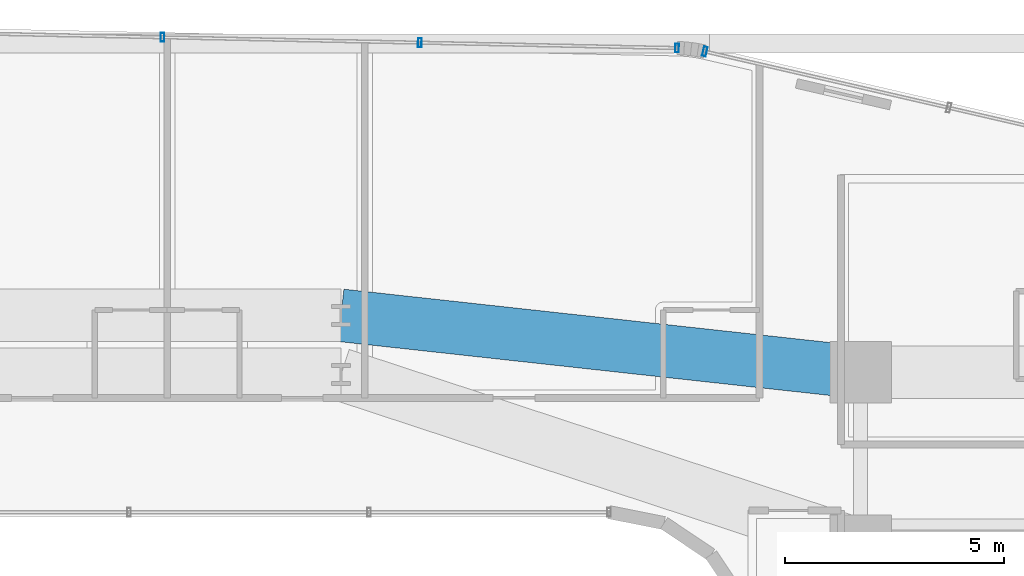
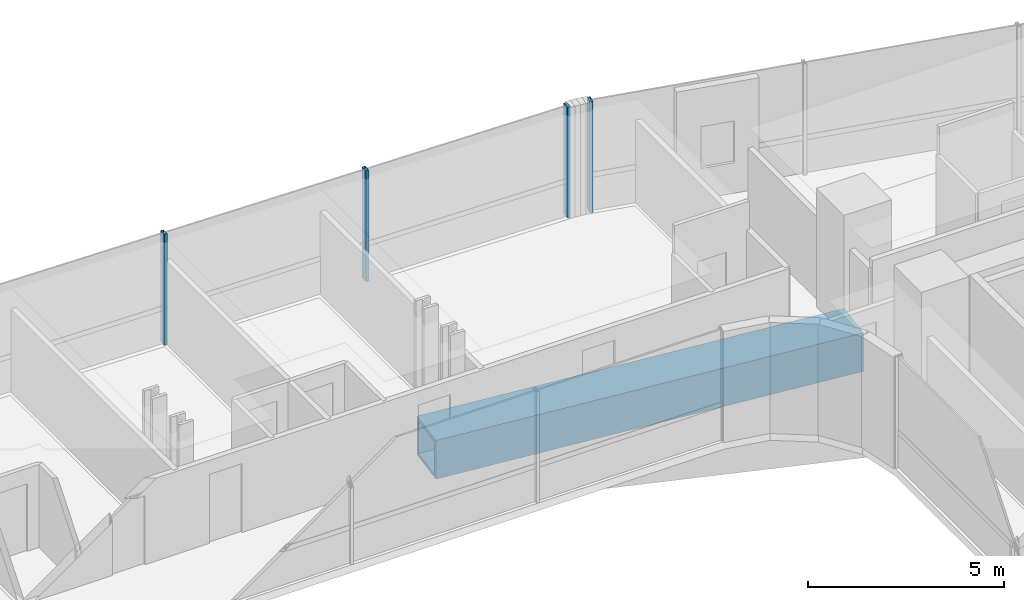
# One storey, part 27 of 50: 4 members, 1 beam, 2 elements without a shape of their own.
"""IFC4 building model written with IfcOpenShell, lengths in metres."""

from ifc_helpers import new_model, si_unit, direction, frame, origin, origin_2d, place, context, subcontext, project, spatial, hollow_rectangle, extrude, source, transform, mapped, material, material_profile, profile_set, type_object, element, aggregate, save


model = new_model("IFC4")

# Units and contexts
model_context = context("Model", 3, precision=1e-05, world=origin(), true_north=direction((0.0, 1.0)))
body_context = subcontext(model_context, "Body", "Model", "MODEL_VIEW")
ifc_project = project(units=[si_unit("LENGTHUNIT", "METRE"), si_unit("AREAUNIT", "SQUARE_METRE"), si_unit("VOLUMEUNIT", "CUBIC_METRE"), si_unit("PLANEANGLEUNIT", "RADIAN"), si_unit("MASSUNIT", "GRAM", prefix="KILO")], contexts=[model_context])

# Site, building, storey
site_placement = place(None, origin())
site = spatial("IfcSite", under=ifc_project, at=site_placement, CompositionType="ELEMENT")
building_placement = place(site_placement, origin())
building = spatial("IfcBuilding", under=site, at=building_placement, Name="Valdorenza Pilgrim Sanctuary Tower", CompositionType="ELEMENT")
storey_placement = place(building_placement, frame((0.0, 0.0, 26.0)))
storey = spatial("IfcBuildingStorey", under=building, at=storey_placement, Name="L05", CompositionType="ELEMENT", Elevation=26.0)

# Beam
ifc_material_1 = material(Name="Steel ASTM A572 Grade 42", Category="steel")
ifc_material_profile_1 = material_profile(ifc_material_1, hollow_rectangle(XDim=1.199951171875, YDim=1.199951171875, WallThickness=0.090087890625, at=origin_2d()), Name="BOX 1200x1200x90")
ifc_profile_set_1 = profile_set([ifc_material_profile_1], Name="Steel ASTM A572 Grade 42")
beam_type = type_object("IfcBeamType", Name="STR-BM-TRF-1200", PredefinedType="BEAM", material=ifc_profile_set_1)
shared_shape_1 = source(origin(), body_context, "Body", "SweptSolid", [
    extrude(hollow_rectangle(XDim=1.199951171875, YDim=1.199951171875, WallThickness=0.090087890625, at=origin_2d()), origin(), (0.0, 0.0, 1.0), 11.921142578125),
])
beam_placement = place(storey_placement, frame((4.0, 14.800048828125, -0.840087890625), z_axis=(0.994035876607, -0.10905354656, 0.0), x_axis=(0.10905354656, 0.994035876607, 0.0)))
element("IfcBeam", 1, at=beam_placement, inside=storey, type_object=beam_type, Name="L05 Podium Arch Transfer Girder TRF-L05-6", PredefinedType="BEAM", context=body_context, shape_type="MappedRepresentation", body=[
    mapped(shared_shape_1, transform((0.0, 0.0, 0.0), x_axis=(1.0, 0.0, 0.0), y_axis=(0.0, 1.0, 0.0), z_axis=(0.0, 0.0, 1.0), scale=1.0)),
])

# Curtain wall, members
ifc_material_2 = material(Name="Curtain-wall IGU glazing", Category="glass")
curtain_wall_type_1 = type_object("IfcCurtainWallType", Name="CW-SYS-02", PredefinedType="NOTDEFINED", material=ifc_material_2)
curtain_wall_1_placement = place(storey_placement, origin())
curtain_wall_1 = element("IfcCurtainWall", 2, at=curtain_wall_1_placement, inside=storey, type_object=curtain_wall_type_1, Name="L05 Curtain Wall CW-L05-1-11", PredefinedType="NOTDEFINED")
ifc_material_3 = material(Name="Anodised aluminium AW-6060", Category="aluminium")
ifc_material_profile_2 = material_profile(ifc_material_3, hollow_rectangle(XDim=0.0849609375, YDim=0.199951171875, WallThickness=0.0048828125, at=origin_2d()), Name="ALU-M 200x85x5")
ifc_profile_set_2 = profile_set([ifc_material_profile_2], Name="Anodised aluminium AW-6060")
member_type_1 = type_object("IfcMemberType", Name="CW-MUL-02", PredefinedType="MULLION", material=ifc_profile_set_2)
shared_shape_2 = source(origin(), body_context, "Body", "SweptSolid", [
    extrude(hollow_rectangle(XDim=0.0849609375, YDim=0.199951171875, WallThickness=0.0048828125, at=origin_2d()), origin(), (0.0, 0.0, 1.0), 3.4599609375),
])
member_1_placement = place(storey_placement, frame((-0.0712890625, 21.1416015625, 0.0), z_axis=(0.0, 0.0, 1.0), x_axis=(0.999783234613, -0.020820273474, 0.0)))
member_1 = element("IfcMember", 3, at=member_1_placement, type_object=member_type_1, Name="CW-L05-1-11 Mullion 3", PredefinedType="MULLION", context=body_context, shape_type="MappedRepresentation", body=[
    mapped(shared_shape_2, transform((0.0, 0.0, 0.0), x_axis=(1.0, 0.0, 0.0), y_axis=(0.0, 1.0, 0.0), z_axis=(0.0, 0.0, 1.0), scale=1.0)),
])
member_2_placement = place(storey_placement, frame((5.797119140625, 21.019287109375, 0.0), z_axis=(0.0, 0.0, 1.0), x_axis=(0.999783234613, -0.020820273474, 0.0)))
member_2 = element("IfcMember", 4, at=member_2_placement, type_object=member_type_1, Name="CW-L05-1-11 Mullion 4", PredefinedType="MULLION", context=body_context, shape_type="MappedRepresentation", body=[
    mapped(shared_shape_2, transform((0.0, 0.0, 0.0), x_axis=(1.0, 0.0, 0.0), y_axis=(0.0, 1.0, 0.0), z_axis=(0.0, 0.0, 1.0), scale=1.0)),
])
member_3_placement = place(storey_placement, frame((11.665771484375, 20.89697265625, 0.0), z_axis=(0.0, 0.0, 1.0), x_axis=(0.999783234613, -0.020820273474, 0.0)))
member_3 = element("IfcMember", 5, at=member_3_placement, type_object=member_type_1, Name="CW-L05-1-11 Mullion 5", PredefinedType="MULLION", context=body_context, shape_type="MappedRepresentation", body=[
    mapped(shared_shape_2, transform((0.0, 0.0, 0.0), x_axis=(1.0, 0.0, 0.0), y_axis=(0.0, 1.0, 0.0), z_axis=(0.0, 0.0, 1.0), scale=1.0)),
])
aggregate(curtain_wall_1, [member_1, member_2, member_3])

# Curtain wall, member
curtain_wall_type_2 = type_object("IfcCurtainWallType", Name="CW-SYS-03", PredefinedType="NOTDEFINED", material=ifc_material_2)
curtain_wall_2_placement = place(storey_placement, origin())
curtain_wall_2 = element("IfcCurtainWall", 6, at=curtain_wall_2_placement, inside=storey, type_object=curtain_wall_type_2, Name="L05 Curtain Wall CW-L05-1-16", PredefinedType="NOTDEFINED")
ifc_material_profile_3 = material_profile(ifc_material_3, hollow_rectangle(XDim=0.0849609375, YDim=0.219970703125, WallThickness=0.0048828125, at=origin_2d()), Name="ALU-M 220x85x5")
ifc_profile_set_3 = profile_set([ifc_material_profile_3], Name="Anodised aluminium AW-6060")
member_type_2 = type_object("IfcMemberType", Name="CW-MUL-03", PredefinedType="MULLION", material=ifc_profile_set_3)
shared_shape_3 = source(origin(), body_context, "Body", "SweptSolid", [
    extrude(hollow_rectangle(XDim=0.0849609375, YDim=0.219970703125, WallThickness=0.0048828125, at=origin_2d()), origin(), (0.0, 0.0, 1.0), 3.4599609375),
])
member_4_placement = place(storey_placement, frame((12.299072265625, 20.818115234375, 0.0), z_axis=(0.0, 0.0, 1.0), x_axis=(0.974389691758, -0.224866023659, 0.0)))
member_4 = element("IfcMember", 7, at=member_4_placement, type_object=member_type_2, Name="CW-L05-1-16 Mullion 1", PredefinedType="MULLION", context=body_context, shape_type="MappedRepresentation", body=[
    mapped(shared_shape_3, transform((0.0, 0.0, 0.0), x_axis=(1.0, 0.0, 0.0), y_axis=(0.0, 1.0, 0.0), z_axis=(0.0, 0.0, 1.0), scale=1.0)),
])
aggregate(curtain_wall_2, [member_4])

save(model, "model.ifc")
